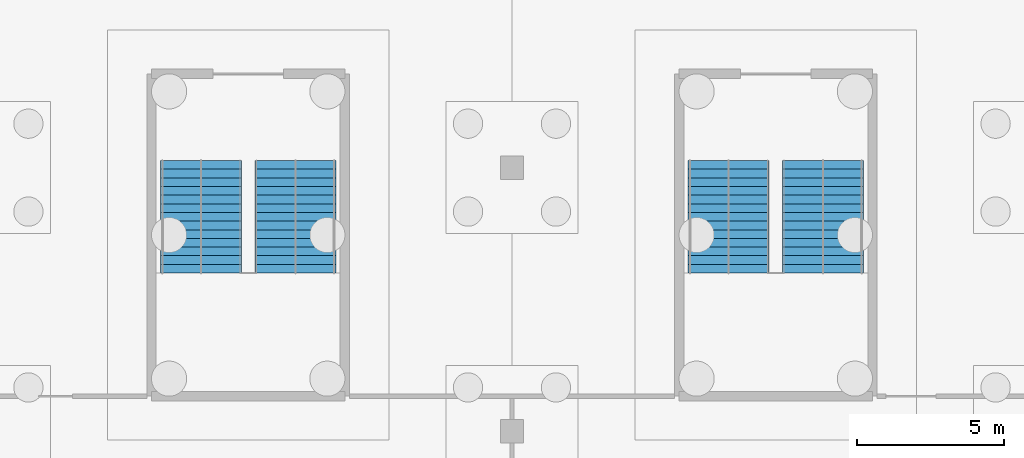
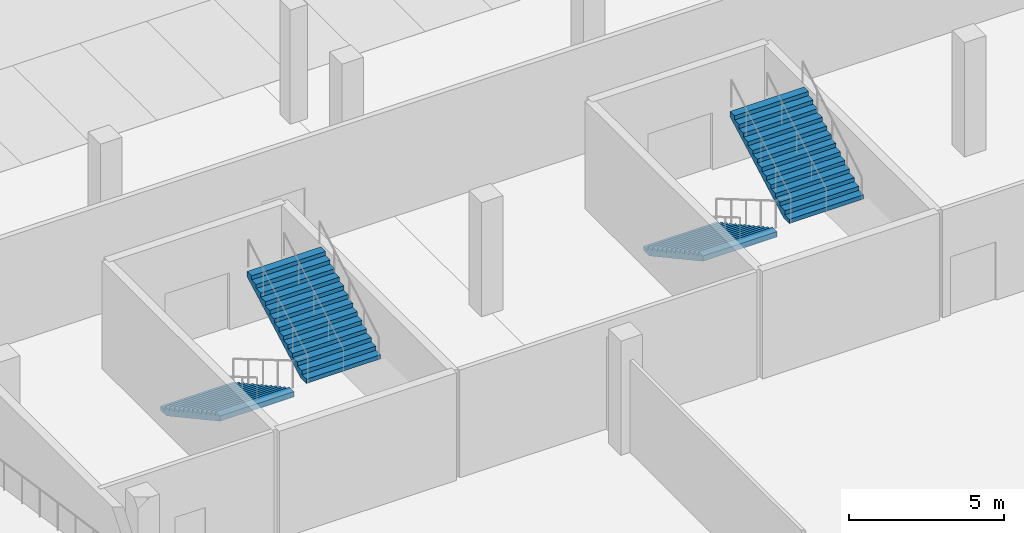
# One storey, part 30 of 46: 4 stair flights, 2 elements without a shape of their own.
"""IFC4 building model written with IfcOpenShell, lengths in metres."""

from ifc_helpers import new_model, si_unit, direction, frame, origin, place, context, subcontext, project, spatial, polygons, material, type_object, element, aggregate, save


model = new_model("IFC4")

# Units and contexts
model_context = context("Model", 3, precision=1e-05, world=origin(), true_north=direction((0.0, 1.0)))
body_context = subcontext(model_context, "Body", "Model", "MODEL_VIEW")
ifc_project = project(units=[si_unit("LENGTHUNIT", "METRE"), si_unit("AREAUNIT", "SQUARE_METRE"), si_unit("VOLUMEUNIT", "CUBIC_METRE"), si_unit("PLANEANGLEUNIT", "RADIAN"), si_unit("MASSUNIT", "GRAM", prefix="KILO")], contexts=[model_context])

# Site, building, storey
site_placement = place(None, origin())
site = spatial("IfcSite", under=ifc_project, at=site_placement, CompositionType="ELEMENT")
building_placement = place(site_placement, origin())
building = spatial("IfcBuilding", under=site, at=building_placement, Name="Kisiwana Market Hall", CompositionType="ELEMENT")
storey_placement = place(building_placement, frame((0.0, 0.0, -4.5)))
storey = spatial("IfcBuildingStorey", under=building, at=storey_placement, Name="B1", CompositionType="ELEMENT", Elevation=-4.5)

# Stair, stair flights
ifc_material_1 = material(Name="Concrete C32/40", Category="concrete")
stair_type = type_object("IfcStairType", Name="ST-ESC-4500", PredefinedType="TWO_STRAIGHT_RUN_STAIR", material=ifc_material_1)
stair_1_placement = place(storey_placement, origin())
stair_1 = element("IfcStair", 1, at=stair_1_placement, inside=storey, type_object=stair_type, Name="Escape stair ST-S4-B1", PredefinedType="TWO_STRAIGHT_RUN_STAIR")
ifc_material_2 = material(Name="Concrete C32/40", Category="concrete")
stair_flight_type = type_object("IfcStairFlightType", Name="SF-ESC-4500", PredefinedType="STRAIGHT", material=ifc_material_2)
stair_flight_1_placement = place(storey_placement, frame((88.389892578125, 27.239990234375, 0.0), z_axis=(0.0, 0.0, 1.0), x_axis=(0.0, -1.0, 0.0)))
stair_flight_1 = element("IfcStairFlight", 2, at=stair_flight_1_placement, type_object=stair_flight_type, Name="ST-S4-B1 flight 1", NumberOfRisers=14, NumberOfTreads=13, PredefinedType="STRAIGHT", RiserHeight=0.160714, TreadLength=0.295, context=body_context, shape_type="Tessellation", body=[
    polygons([(0.0, -1.380127, 0.0), (0.0, -0.690125, 0.0), (0.0, -0.000122, 0.0), (0.0, 0.68988, 0.0), (0.0, 1.379883, 0.0), (0.0, -1.380127, 0.160645), (0.0, -0.690125, 0.160645), (0.0, -0.000122, 0.160645), (0.0, 0.68988, 0.160645), (0.0, 1.379883, 0.160645), (0.294922, -1.380127, 0.160645), (0.294922, -0.690125, 0.160645), (0.294922, -0.000122, 0.160645), (0.294922, 0.68988, 0.160645), (0.294922, 1.379883, 0.160645), (0.294922, -1.380127, 0.321533), (0.294922, -0.690125, 0.321533), (0.294922, -0.000122, 0.321533), (0.294922, 0.68988, 0.321533), (0.294922, 1.379883, 0.321533), (0.590088, -1.380127, 0.321533), (0.590088, -0.690125, 0.321533), (0.590088, -0.000122, 0.321533), (0.590088, 0.68988, 0.321533), (0.590088, 1.379883, 0.321533), (0.590088, -1.380127, 0.482178), (0.590088, -0.690125, 0.482178), (0.590088, -0.000122, 0.482178), (0.590088, 0.68988, 0.482178), (0.590088, 1.379883, 0.482178), (0.88501, -1.380127, 0.482178), (0.88501, -0.690125, 0.482178), (0.88501, -0.000122, 0.482178), (0.88501, 0.68988, 0.482178), (0.88501, 1.379883, 0.482178), (0.88501, -1.380127, 0.642822), (0.88501, -0.690125, 0.642822), (0.88501, -0.000122, 0.642822), (0.88501, 0.68988, 0.642822), (0.88501, 1.379883, 0.642822), (1.179932, -1.380127, 0.642822), (1.179932, -0.690125, 0.642822), (1.179932, -0.000122, 0.642822), (1.179932, 0.68988, 0.642822), (1.179932, 1.379883, 0.642822), (1.179932, -1.380127, 0.803467), (1.179932, -0.690125, 0.803467), (1.179932, -0.000122, 0.803467), (1.179932, 0.68988, 0.803467), (1.179932, 1.379883, 0.803467), (1.475098, -1.380127, 0.803467), (1.475098, -0.690125, 0.803467), (1.475098, -0.000122, 0.803467), (1.475098, 0.68988, 0.803467), (1.475098, 1.379883, 0.803467), (1.475098, -1.380127, 0.964355), (1.475098, -0.690125, 0.964355), (1.475098, -0.000122, 0.964355), (1.475098, 0.68988, 0.964355), (1.475098, 1.379883, 0.964355), (1.77002, -1.380127, 0.964355), (1.77002, -0.690125, 0.964355), (1.77002, -0.000122, 0.964355), (1.77002, 0.68988, 0.964355), (1.77002, 1.379883, 0.964355), (1.77002, -1.380127, 1.125), (1.77002, -0.690125, 1.125), (1.77002, -0.000122, 1.125), (1.77002, 0.68988, 1.125), (1.77002, 1.379883, 1.125), (2.064941, -1.380127, 1.125), (2.064941, -0.690125, 1.125), (2.064941, -0.000122, 1.125), (2.064941, 0.68988, 1.125), (2.064941, 1.379883, 1.125), (2.064941, -1.380127, 1.285645), (2.064941, -0.690125, 1.285645), (2.064941, -0.000122, 1.285645), (2.064941, 0.68988, 1.285645), (2.064941, 1.379883, 1.285645), (2.360107, -1.380127, 1.285645), (2.360107, -0.690125, 1.285645), (2.360107, -0.000122, 1.285645), (2.360107, 0.68988, 1.285645), (2.360107, 1.379883, 1.285645), (2.360107, -1.380127, 1.446533), (2.360107, -0.690125, 1.446533), (2.360107, -0.000122, 1.446533), (2.360107, 0.68988, 1.446533), (2.360107, 1.379883, 1.446533), (2.655029, -1.380127, 1.446533), (2.655029, -0.690125, 1.446533), (2.655029, -0.000122, 1.446533), (2.655029, 0.68988, 1.446533), (2.655029, 1.379883, 1.446533), (2.655029, -1.380127, 1.607178), (2.655029, -0.690125, 1.607178), (2.655029, -0.000122, 1.607178), (2.655029, 0.68988, 1.607178), (2.655029, 1.379883, 1.607178), (2.949951, -1.380127, 1.607178), (2.949951, -0.690125, 1.607178), (2.949951, -0.000122, 1.607178), (2.949951, 0.68988, 1.607178), (2.949951, 1.379883, 1.607178), (2.949951, -1.380127, 1.767822), (2.949951, -0.690125, 1.767822), (2.949951, -0.000122, 1.767822), (2.949951, 0.68988, 1.767822), (2.949951, 1.379883, 1.767822), (3.245117, -1.380127, 1.767822), (3.245117, -0.690125, 1.767822), (3.245117, -0.000122, 1.767822), (3.245117, 0.68988, 1.767822), (3.245117, 1.379883, 1.767822), (3.245117, -1.380127, 1.928467), (3.245117, -0.690125, 1.928467), (3.245117, -0.000122, 1.928467), (3.245117, 0.68988, 1.928467), (3.245117, 1.379883, 1.928467), (3.540039, -1.380127, 1.928467), (3.540039, -0.690125, 1.928467), (3.540039, -0.000122, 1.928467), (3.540039, 0.68988, 1.928467), (3.540039, 1.379883, 1.928467), (3.540039, -1.380127, 2.089355), (3.540039, -0.690125, 2.089355), (3.540039, -0.000122, 2.089355), (3.540039, 0.68988, 2.089355), (3.540039, 1.379883, 2.089355), (3.834961, -1.380127, 2.089355), (3.834961, -0.690125, 2.089355), (3.834961, -0.000122, 2.089355), (3.834961, 0.68988, 2.089355), (3.834961, 1.379883, 2.089355), (3.834961, -1.380127, 1.884277), (3.834961, -0.690125, 1.884277), (3.834961, -0.000122, 1.884277), (3.834961, 0.68988, 1.884277), (3.834961, 1.379883, 1.884277), (0.376221, -1.380127, 0.0), (0.376221, -0.690125, 0.0), (0.376221, -0.000122, 0.0), (0.376221, 0.68988, 0.0), (0.376221, 1.379883, 0.0)], [[[1, 6, 7, 2]], [[2, 7, 8, 3]], [[3, 8, 9, 4]], [[4, 9, 10, 5]], [[6, 11, 12, 7]], [[7, 12, 13, 8]], [[8, 13, 14, 9]], [[9, 14, 15, 10]], [[11, 16, 17, 12]], [[12, 17, 18, 13]], [[13, 18, 19, 14]], [[14, 19, 20, 15]], [[16, 21, 22, 17]], [[17, 22, 23, 18]], [[18, 23, 24, 19]], [[19, 24, 25, 20]], [[21, 26, 27, 22]], [[22, 27, 28, 23]], [[23, 28, 29, 24]], [[24, 29, 30, 25]], [[26, 31, 32, 27]], [[27, 32, 33, 28]], [[28, 33, 34, 29]], [[29, 34, 35, 30]], [[31, 36, 37, 32]], [[32, 37, 38, 33]], [[33, 38, 39, 34]], [[34, 39, 40, 35]], [[36, 41, 42, 37]], [[37, 42, 43, 38]], [[38, 43, 44, 39]], [[39, 44, 45, 40]], [[41, 46, 47, 42]], [[42, 47, 48, 43]], [[43, 48, 49, 44]], [[44, 49, 50, 45]], [[46, 51, 52, 47]], [[47, 52, 53, 48]], [[48, 53, 54, 49]], [[49, 54, 55, 50]], [[51, 56, 57, 52]], [[52, 57, 58, 53]], [[53, 58, 59, 54]], [[54, 59, 60, 55]], [[56, 61, 62, 57]], [[57, 62, 63, 58]], [[58, 63, 64, 59]], [[59, 64, 65, 60]], [[61, 66, 67, 62]], [[62, 67, 68, 63]], [[63, 68, 69, 64]], [[64, 69, 70, 65]], [[66, 71, 72, 67]], [[67, 72, 73, 68]], [[68, 73, 74, 69]], [[69, 74, 75, 70]], [[71, 76, 77, 72]], [[72, 77, 78, 73]], [[73, 78, 79, 74]], [[74, 79, 80, 75]], [[76, 81, 82, 77]], [[77, 82, 83, 78]], [[78, 83, 84, 79]], [[79, 84, 85, 80]], [[81, 86, 87, 82]], [[82, 87, 88, 83]], [[83, 88, 89, 84]], [[84, 89, 90, 85]], [[86, 91, 92, 87]], [[87, 92, 93, 88]], [[88, 93, 94, 89]], [[89, 94, 95, 90]], [[91, 96, 97, 92]], [[92, 97, 98, 93]], [[93, 98, 99, 94]], [[94, 99, 100, 95]], [[96, 101, 102, 97]], [[97, 102, 103, 98]], [[98, 103, 104, 99]], [[99, 104, 105, 100]], [[101, 106, 107, 102]], [[102, 107, 108, 103]], [[103, 108, 109, 104]], [[104, 109, 110, 105]], [[106, 111, 112, 107]], [[107, 112, 113, 108]], [[108, 113, 114, 109]], [[109, 114, 115, 110]], [[111, 116, 117, 112]], [[112, 117, 118, 113]], [[113, 118, 119, 114]], [[114, 119, 120, 115]], [[116, 121, 122, 117]], [[117, 122, 123, 118]], [[118, 123, 124, 119]], [[119, 124, 125, 120]], [[121, 126, 127, 122]], [[122, 127, 128, 123]], [[123, 128, 129, 124]], [[124, 129, 130, 125]], [[126, 131, 132, 127]], [[127, 132, 133, 128]], [[128, 133, 134, 129]], [[129, 134, 135, 130]], [[131, 136, 137, 132]], [[132, 137, 138, 133]], [[133, 138, 139, 134]], [[134, 139, 140, 135]], [[136, 141, 142, 137]], [[137, 142, 143, 138]], [[138, 143, 144, 139]], [[139, 144, 145, 140]], [[141, 1, 2, 142]], [[142, 2, 3, 143]], [[143, 3, 4, 144]], [[144, 4, 5, 145]], [[141, 136, 131, 126, 121, 116, 111, 106, 101, 96, 91, 86, 81, 76, 71, 66, 61, 56, 51, 46, 41, 36, 31, 26, 21, 16, 11, 6, 1]], [[5, 10, 15, 20, 25, 30, 35, 40, 45, 50, 55, 60, 65, 70, 75, 80, 85, 90, 95, 100, 105, 110, 115, 120, 125, 130, 135, 140, 145]]], closed=True),
])
stair_flight_2_placement = place(storey_placement, frame((91.610107421875, 23.405029296875, 2.25), z_axis=(0.0, 0.0, 1.0), x_axis=(0.0, 1.0, 0.0)))
stair_flight_2 = element("IfcStairFlight", 3, at=stair_flight_2_placement, type_object=stair_flight_type, Name="ST-S4-B1 flight 2", NumberOfRisers=14, NumberOfTreads=13, PredefinedType="STRAIGHT", RiserHeight=0.160714, TreadLength=0.295, context=body_context, shape_type="Tessellation", body=[
    polygons([(0.0, -1.380127, 0.0), (0.0, -0.690125, 0.0), (0.0, -0.000122, 0.0), (0.0, 0.68988, 0.0), (0.0, 1.379883, 0.0), (0.0, -1.380127, 0.160645), (0.0, -0.690125, 0.160645), (0.0, -0.000122, 0.160645), (0.0, 0.68988, 0.160645), (0.0, 1.379883, 0.160645), (0.294922, -1.380127, 0.160645), (0.294922, -0.690125, 0.160645), (0.294922, -0.000122, 0.160645), (0.294922, 0.68988, 0.160645), (0.294922, 1.379883, 0.160645), (0.294922, -1.380127, 0.321533), (0.294922, -0.690125, 0.321533), (0.294922, -0.000122, 0.321533), (0.294922, 0.68988, 0.321533), (0.294922, 1.379883, 0.321533), (0.590088, -1.380127, 0.321533), (0.590088, -0.690125, 0.321533), (0.590088, -0.000122, 0.321533), (0.590088, 0.68988, 0.321533), (0.590088, 1.379883, 0.321533), (0.590088, -1.380127, 0.482178), (0.590088, -0.690125, 0.482178), (0.590088, -0.000122, 0.482178), (0.590088, 0.68988, 0.482178), (0.590088, 1.379883, 0.482178), (0.88501, -1.380127, 0.482178), (0.88501, -0.690125, 0.482178), (0.88501, -0.000122, 0.482178), (0.88501, 0.68988, 0.482178), (0.88501, 1.379883, 0.482178), (0.88501, -1.380127, 0.642822), (0.88501, -0.690125, 0.642822), (0.88501, -0.000122, 0.642822), (0.88501, 0.68988, 0.642822), (0.88501, 1.379883, 0.642822), (1.179932, -1.380127, 0.642822), (1.179932, -0.690125, 0.642822), (1.179932, -0.000122, 0.642822), (1.179932, 0.68988, 0.642822), (1.179932, 1.379883, 0.642822), (1.179932, -1.380127, 0.803467), (1.179932, -0.690125, 0.803467), (1.179932, -0.000122, 0.803467), (1.179932, 0.68988, 0.803467), (1.179932, 1.379883, 0.803467), (1.475098, -1.380127, 0.803467), (1.475098, -0.690125, 0.803467), (1.475098, -0.000122, 0.803467), (1.475098, 0.68988, 0.803467), (1.475098, 1.379883, 0.803467), (1.475098, -1.380127, 0.964355), (1.475098, -0.690125, 0.964355), (1.475098, -0.000122, 0.964355), (1.475098, 0.68988, 0.964355), (1.475098, 1.379883, 0.964355), (1.77002, -1.380127, 0.964355), (1.77002, -0.690125, 0.964355), (1.77002, -0.000122, 0.964355), (1.77002, 0.68988, 0.964355), (1.77002, 1.379883, 0.964355), (1.77002, -1.380127, 1.125), (1.77002, -0.690125, 1.125), (1.77002, -0.000122, 1.125), (1.77002, 0.68988, 1.125), (1.77002, 1.379883, 1.125), (2.064941, -1.380127, 1.125), (2.064941, -0.690125, 1.125), (2.064941, -0.000122, 1.125), (2.064941, 0.68988, 1.125), (2.064941, 1.379883, 1.125), (2.064941, -1.380127, 1.285645), (2.064941, -0.690125, 1.285645), (2.064941, -0.000122, 1.285645), (2.064941, 0.68988, 1.285645), (2.064941, 1.379883, 1.285645), (2.360107, -1.380127, 1.285645), (2.360107, -0.690125, 1.285645), (2.360107, -0.000122, 1.285645), (2.360107, 0.68988, 1.285645), (2.360107, 1.379883, 1.285645), (2.360107, -1.380127, 1.446533), (2.360107, -0.690125, 1.446533), (2.360107, -0.000122, 1.446533), (2.360107, 0.68988, 1.446533), (2.360107, 1.379883, 1.446533), (2.655029, -1.380127, 1.446533), (2.655029, -0.690125, 1.446533), (2.655029, -0.000122, 1.446533), (2.655029, 0.68988, 1.446533), (2.655029, 1.379883, 1.446533), (2.655029, -1.380127, 1.607178), (2.655029, -0.690125, 1.607178), (2.655029, -0.000122, 1.607178), (2.655029, 0.68988, 1.607178), (2.655029, 1.379883, 1.607178), (2.949951, -1.380127, 1.607178), (2.949951, -0.690125, 1.607178), (2.949951, -0.000122, 1.607178), (2.949951, 0.68988, 1.607178), (2.949951, 1.379883, 1.607178), (2.949951, -1.380127, 1.767822), (2.949951, -0.690125, 1.767822), (2.949951, -0.000122, 1.767822), (2.949951, 0.68988, 1.767822), (2.949951, 1.379883, 1.767822), (3.245117, -1.380127, 1.767822), (3.245117, -0.690125, 1.767822), (3.245117, -0.000122, 1.767822), (3.245117, 0.68988, 1.767822), (3.245117, 1.379883, 1.767822), (3.245117, -1.380127, 1.928467), (3.245117, -0.690125, 1.928467), (3.245117, -0.000122, 1.928467), (3.245117, 0.68988, 1.928467), (3.245117, 1.379883, 1.928467), (3.540039, -1.380127, 1.928467), (3.540039, -0.690125, 1.928467), (3.540039, -0.000122, 1.928467), (3.540039, 0.68988, 1.928467), (3.540039, 1.379883, 1.928467), (3.540039, -1.380127, 2.089355), (3.540039, -0.690125, 2.089355), (3.540039, -0.000122, 2.089355), (3.540039, 0.68988, 2.089355), (3.540039, 1.379883, 2.089355), (3.834961, -1.380127, 2.089355), (3.834961, -0.690125, 2.089355), (3.834961, -0.000122, 2.089355), (3.834961, 0.68988, 2.089355), (3.834961, 1.379883, 2.089355), (3.834961, -1.380127, 1.884277), (3.834961, -0.690125, 1.884277), (3.834961, -0.000122, 1.884277), (3.834961, 0.68988, 1.884277), (3.834961, 1.379883, 1.884277), (0.376221, -1.380127, 0.0), (0.376221, -0.690125, 0.0), (0.376221, -0.000122, 0.0), (0.376221, 0.68988, 0.0), (0.376221, 1.379883, 0.0)], [[[1, 6, 7, 2]], [[2, 7, 8, 3]], [[3, 8, 9, 4]], [[4, 9, 10, 5]], [[6, 11, 12, 7]], [[7, 12, 13, 8]], [[8, 13, 14, 9]], [[9, 14, 15, 10]], [[11, 16, 17, 12]], [[12, 17, 18, 13]], [[13, 18, 19, 14]], [[14, 19, 20, 15]], [[16, 21, 22, 17]], [[17, 22, 23, 18]], [[18, 23, 24, 19]], [[19, 24, 25, 20]], [[21, 26, 27, 22]], [[22, 27, 28, 23]], [[23, 28, 29, 24]], [[24, 29, 30, 25]], [[26, 31, 32, 27]], [[27, 32, 33, 28]], [[28, 33, 34, 29]], [[29, 34, 35, 30]], [[31, 36, 37, 32]], [[32, 37, 38, 33]], [[33, 38, 39, 34]], [[34, 39, 40, 35]], [[36, 41, 42, 37]], [[37, 42, 43, 38]], [[38, 43, 44, 39]], [[39, 44, 45, 40]], [[41, 46, 47, 42]], [[42, 47, 48, 43]], [[43, 48, 49, 44]], [[44, 49, 50, 45]], [[46, 51, 52, 47]], [[47, 52, 53, 48]], [[48, 53, 54, 49]], [[49, 54, 55, 50]], [[51, 56, 57, 52]], [[52, 57, 58, 53]], [[53, 58, 59, 54]], [[54, 59, 60, 55]], [[56, 61, 62, 57]], [[57, 62, 63, 58]], [[58, 63, 64, 59]], [[59, 64, 65, 60]], [[61, 66, 67, 62]], [[62, 67, 68, 63]], [[63, 68, 69, 64]], [[64, 69, 70, 65]], [[66, 71, 72, 67]], [[67, 72, 73, 68]], [[68, 73, 74, 69]], [[69, 74, 75, 70]], [[71, 76, 77, 72]], [[72, 77, 78, 73]], [[73, 78, 79, 74]], [[74, 79, 80, 75]], [[76, 81, 82, 77]], [[77, 82, 83, 78]], [[78, 83, 84, 79]], [[79, 84, 85, 80]], [[81, 86, 87, 82]], [[82, 87, 88, 83]], [[83, 88, 89, 84]], [[84, 89, 90, 85]], [[86, 91, 92, 87]], [[87, 92, 93, 88]], [[88, 93, 94, 89]], [[89, 94, 95, 90]], [[91, 96, 97, 92]], [[92, 97, 98, 93]], [[93, 98, 99, 94]], [[94, 99, 100, 95]], [[96, 101, 102, 97]], [[97, 102, 103, 98]], [[98, 103, 104, 99]], [[99, 104, 105, 100]], [[101, 106, 107, 102]], [[102, 107, 108, 103]], [[103, 108, 109, 104]], [[104, 109, 110, 105]], [[106, 111, 112, 107]], [[107, 112, 113, 108]], [[108, 113, 114, 109]], [[109, 114, 115, 110]], [[111, 116, 117, 112]], [[112, 117, 118, 113]], [[113, 118, 119, 114]], [[114, 119, 120, 115]], [[116, 121, 122, 117]], [[117, 122, 123, 118]], [[118, 123, 124, 119]], [[119, 124, 125, 120]], [[121, 126, 127, 122]], [[122, 127, 128, 123]], [[123, 128, 129, 124]], [[124, 129, 130, 125]], [[126, 131, 132, 127]], [[127, 132, 133, 128]], [[128, 133, 134, 129]], [[129, 134, 135, 130]], [[131, 136, 137, 132]], [[132, 137, 138, 133]], [[133, 138, 139, 134]], [[134, 139, 140, 135]], [[136, 141, 142, 137]], [[137, 142, 143, 138]], [[138, 143, 144, 139]], [[139, 144, 145, 140]], [[141, 1, 2, 142]], [[142, 2, 3, 143]], [[143, 3, 4, 144]], [[144, 4, 5, 145]], [[141, 136, 131, 126, 121, 116, 111, 106, 101, 96, 91, 86, 81, 76, 71, 66, 61, 56, 51, 46, 41, 36, 31, 26, 21, 16, 11, 6, 1]], [[5, 10, 15, 20, 25, 30, 35, 40, 45, 50, 55, 60, 65, 70, 75, 80, 85, 90, 95, 100, 105, 110, 115, 120, 125, 130, 135, 140, 145]]], closed=True),
])
aggregate(stair_1, [stair_flight_1, stair_flight_2])

stair_2_placement = place(storey_placement, origin())
stair_2 = element("IfcStair", 4, at=stair_2_placement, inside=storey, type_object=stair_type, Name="Escape stair ST-S5-B1", PredefinedType="TWO_STRAIGHT_RUN_STAIR")
stair_flight_3_placement = place(storey_placement, frame((106.389892578125, 27.239990234375, 0.0), z_axis=(0.0, 0.0, 1.0), x_axis=(0.0, -1.0, 0.0)))
stair_flight_3 = element("IfcStairFlight", 5, at=stair_flight_3_placement, type_object=stair_flight_type, Name="ST-S5-B1 flight 1", NumberOfRisers=14, NumberOfTreads=13, PredefinedType="STRAIGHT", RiserHeight=0.160714, TreadLength=0.295, context=body_context, shape_type="Tessellation", body=[
    polygons([(0.0, -1.380127, 0.0), (0.0, -0.690125, 0.0), (0.0, -0.000122, 0.0), (0.0, 0.68988, 0.0), (0.0, 1.379883, 0.0), (0.0, -1.380127, 0.160645), (0.0, -0.690125, 0.160645), (0.0, -0.000122, 0.160645), (0.0, 0.68988, 0.160645), (0.0, 1.379883, 0.160645), (0.294922, -1.380127, 0.160645), (0.294922, -0.690125, 0.160645), (0.294922, -0.000122, 0.160645), (0.294922, 0.68988, 0.160645), (0.294922, 1.379883, 0.160645), (0.294922, -1.380127, 0.321533), (0.294922, -0.690125, 0.321533), (0.294922, -0.000122, 0.321533), (0.294922, 0.68988, 0.321533), (0.294922, 1.379883, 0.321533), (0.590088, -1.380127, 0.321533), (0.590088, -0.690125, 0.321533), (0.590088, -0.000122, 0.321533), (0.590088, 0.68988, 0.321533), (0.590088, 1.379883, 0.321533), (0.590088, -1.380127, 0.482178), (0.590088, -0.690125, 0.482178), (0.590088, -0.000122, 0.482178), (0.590088, 0.68988, 0.482178), (0.590088, 1.379883, 0.482178), (0.88501, -1.380127, 0.482178), (0.88501, -0.690125, 0.482178), (0.88501, -0.000122, 0.482178), (0.88501, 0.68988, 0.482178), (0.88501, 1.379883, 0.482178), (0.88501, -1.380127, 0.642822), (0.88501, -0.690125, 0.642822), (0.88501, -0.000122, 0.642822), (0.88501, 0.68988, 0.642822), (0.88501, 1.379883, 0.642822), (1.179932, -1.380127, 0.642822), (1.179932, -0.690125, 0.642822), (1.179932, -0.000122, 0.642822), (1.179932, 0.68988, 0.642822), (1.179932, 1.379883, 0.642822), (1.179932, -1.380127, 0.803467), (1.179932, -0.690125, 0.803467), (1.179932, -0.000122, 0.803467), (1.179932, 0.68988, 0.803467), (1.179932, 1.379883, 0.803467), (1.475098, -1.380127, 0.803467), (1.475098, -0.690125, 0.803467), (1.475098, -0.000122, 0.803467), (1.475098, 0.68988, 0.803467), (1.475098, 1.379883, 0.803467), (1.475098, -1.380127, 0.964355), (1.475098, -0.690125, 0.964355), (1.475098, -0.000122, 0.964355), (1.475098, 0.68988, 0.964355), (1.475098, 1.379883, 0.964355), (1.77002, -1.380127, 0.964355), (1.77002, -0.690125, 0.964355), (1.77002, -0.000122, 0.964355), (1.77002, 0.68988, 0.964355), (1.77002, 1.379883, 0.964355), (1.77002, -1.380127, 1.125), (1.77002, -0.690125, 1.125), (1.77002, -0.000122, 1.125), (1.77002, 0.68988, 1.125), (1.77002, 1.379883, 1.125), (2.064941, -1.380127, 1.125), (2.064941, -0.690125, 1.125), (2.064941, -0.000122, 1.125), (2.064941, 0.68988, 1.125), (2.064941, 1.379883, 1.125), (2.064941, -1.380127, 1.285645), (2.064941, -0.690125, 1.285645), (2.064941, -0.000122, 1.285645), (2.064941, 0.68988, 1.285645), (2.064941, 1.379883, 1.285645), (2.360107, -1.380127, 1.285645), (2.360107, -0.690125, 1.285645), (2.360107, -0.000122, 1.285645), (2.360107, 0.68988, 1.285645), (2.360107, 1.379883, 1.285645), (2.360107, -1.380127, 1.446533), (2.360107, -0.690125, 1.446533), (2.360107, -0.000122, 1.446533), (2.360107, 0.68988, 1.446533), (2.360107, 1.379883, 1.446533), (2.655029, -1.380127, 1.446533), (2.655029, -0.690125, 1.446533), (2.655029, -0.000122, 1.446533), (2.655029, 0.68988, 1.446533), (2.655029, 1.379883, 1.446533), (2.655029, -1.380127, 1.607178), (2.655029, -0.690125, 1.607178), (2.655029, -0.000122, 1.607178), (2.655029, 0.68988, 1.607178), (2.655029, 1.379883, 1.607178), (2.949951, -1.380127, 1.607178), (2.949951, -0.690125, 1.607178), (2.949951, -0.000122, 1.607178), (2.949951, 0.68988, 1.607178), (2.949951, 1.379883, 1.607178), (2.949951, -1.380127, 1.767822), (2.949951, -0.690125, 1.767822), (2.949951, -0.000122, 1.767822), (2.949951, 0.68988, 1.767822), (2.949951, 1.379883, 1.767822), (3.245117, -1.380127, 1.767822), (3.245117, -0.690125, 1.767822), (3.245117, -0.000122, 1.767822), (3.245117, 0.68988, 1.767822), (3.245117, 1.379883, 1.767822), (3.245117, -1.380127, 1.928467), (3.245117, -0.690125, 1.928467), (3.245117, -0.000122, 1.928467), (3.245117, 0.68988, 1.928467), (3.245117, 1.379883, 1.928467), (3.540039, -1.380127, 1.928467), (3.540039, -0.690125, 1.928467), (3.540039, -0.000122, 1.928467), (3.540039, 0.68988, 1.928467), (3.540039, 1.379883, 1.928467), (3.540039, -1.380127, 2.089355), (3.540039, -0.690125, 2.089355), (3.540039, -0.000122, 2.089355), (3.540039, 0.68988, 2.089355), (3.540039, 1.379883, 2.089355), (3.834961, -1.380127, 2.089355), (3.834961, -0.690125, 2.089355), (3.834961, -0.000122, 2.089355), (3.834961, 0.68988, 2.089355), (3.834961, 1.379883, 2.089355), (3.834961, -1.380127, 1.884277), (3.834961, -0.690125, 1.884277), (3.834961, -0.000122, 1.884277), (3.834961, 0.68988, 1.884277), (3.834961, 1.379883, 1.884277), (0.376221, -1.380127, 0.0), (0.376221, -0.690125, 0.0), (0.376221, -0.000122, 0.0), (0.376221, 0.68988, 0.0), (0.376221, 1.379883, 0.0)], [[[1, 6, 7, 2]], [[2, 7, 8, 3]], [[3, 8, 9, 4]], [[4, 9, 10, 5]], [[6, 11, 12, 7]], [[7, 12, 13, 8]], [[8, 13, 14, 9]], [[9, 14, 15, 10]], [[11, 16, 17, 12]], [[12, 17, 18, 13]], [[13, 18, 19, 14]], [[14, 19, 20, 15]], [[16, 21, 22, 17]], [[17, 22, 23, 18]], [[18, 23, 24, 19]], [[19, 24, 25, 20]], [[21, 26, 27, 22]], [[22, 27, 28, 23]], [[23, 28, 29, 24]], [[24, 29, 30, 25]], [[26, 31, 32, 27]], [[27, 32, 33, 28]], [[28, 33, 34, 29]], [[29, 34, 35, 30]], [[31, 36, 37, 32]], [[32, 37, 38, 33]], [[33, 38, 39, 34]], [[34, 39, 40, 35]], [[36, 41, 42, 37]], [[37, 42, 43, 38]], [[38, 43, 44, 39]], [[39, 44, 45, 40]], [[41, 46, 47, 42]], [[42, 47, 48, 43]], [[43, 48, 49, 44]], [[44, 49, 50, 45]], [[46, 51, 52, 47]], [[47, 52, 53, 48]], [[48, 53, 54, 49]], [[49, 54, 55, 50]], [[51, 56, 57, 52]], [[52, 57, 58, 53]], [[53, 58, 59, 54]], [[54, 59, 60, 55]], [[56, 61, 62, 57]], [[57, 62, 63, 58]], [[58, 63, 64, 59]], [[59, 64, 65, 60]], [[61, 66, 67, 62]], [[62, 67, 68, 63]], [[63, 68, 69, 64]], [[64, 69, 70, 65]], [[66, 71, 72, 67]], [[67, 72, 73, 68]], [[68, 73, 74, 69]], [[69, 74, 75, 70]], [[71, 76, 77, 72]], [[72, 77, 78, 73]], [[73, 78, 79, 74]], [[74, 79, 80, 75]], [[76, 81, 82, 77]], [[77, 82, 83, 78]], [[78, 83, 84, 79]], [[79, 84, 85, 80]], [[81, 86, 87, 82]], [[82, 87, 88, 83]], [[83, 88, 89, 84]], [[84, 89, 90, 85]], [[86, 91, 92, 87]], [[87, 92, 93, 88]], [[88, 93, 94, 89]], [[89, 94, 95, 90]], [[91, 96, 97, 92]], [[92, 97, 98, 93]], [[93, 98, 99, 94]], [[94, 99, 100, 95]], [[96, 101, 102, 97]], [[97, 102, 103, 98]], [[98, 103, 104, 99]], [[99, 104, 105, 100]], [[101, 106, 107, 102]], [[102, 107, 108, 103]], [[103, 108, 109, 104]], [[104, 109, 110, 105]], [[106, 111, 112, 107]], [[107, 112, 113, 108]], [[108, 113, 114, 109]], [[109, 114, 115, 110]], [[111, 116, 117, 112]], [[112, 117, 118, 113]], [[113, 118, 119, 114]], [[114, 119, 120, 115]], [[116, 121, 122, 117]], [[117, 122, 123, 118]], [[118, 123, 124, 119]], [[119, 124, 125, 120]], [[121, 126, 127, 122]], [[122, 127, 128, 123]], [[123, 128, 129, 124]], [[124, 129, 130, 125]], [[126, 131, 132, 127]], [[127, 132, 133, 128]], [[128, 133, 134, 129]], [[129, 134, 135, 130]], [[131, 136, 137, 132]], [[132, 137, 138, 133]], [[133, 138, 139, 134]], [[134, 139, 140, 135]], [[136, 141, 142, 137]], [[137, 142, 143, 138]], [[138, 143, 144, 139]], [[139, 144, 145, 140]], [[141, 1, 2, 142]], [[142, 2, 3, 143]], [[143, 3, 4, 144]], [[144, 4, 5, 145]], [[141, 136, 131, 126, 121, 116, 111, 106, 101, 96, 91, 86, 81, 76, 71, 66, 61, 56, 51, 46, 41, 36, 31, 26, 21, 16, 11, 6, 1]], [[5, 10, 15, 20, 25, 30, 35, 40, 45, 50, 55, 60, 65, 70, 75, 80, 85, 90, 95, 100, 105, 110, 115, 120, 125, 130, 135, 140, 145]]], closed=True),
])
stair_flight_4_placement = place(storey_placement, frame((109.610107421875, 23.405029296875, 2.25), z_axis=(0.0, 0.0, 1.0), x_axis=(0.0, 1.0, 0.0)))
stair_flight_4 = element("IfcStairFlight", 6, at=stair_flight_4_placement, type_object=stair_flight_type, Name="ST-S5-B1 flight 2", NumberOfRisers=14, NumberOfTreads=13, PredefinedType="STRAIGHT", RiserHeight=0.160714, TreadLength=0.295, context=body_context, shape_type="Tessellation", body=[
    polygons([(0.0, -1.380127, 0.0), (0.0, -0.690125, 0.0), (0.0, -0.000122, 0.0), (0.0, 0.68988, 0.0), (0.0, 1.379883, 0.0), (0.0, -1.380127, 0.160645), (0.0, -0.690125, 0.160645), (0.0, -0.000122, 0.160645), (0.0, 0.68988, 0.160645), (0.0, 1.379883, 0.160645), (0.294922, -1.380127, 0.160645), (0.294922, -0.690125, 0.160645), (0.294922, -0.000122, 0.160645), (0.294922, 0.68988, 0.160645), (0.294922, 1.379883, 0.160645), (0.294922, -1.380127, 0.321533), (0.294922, -0.690125, 0.321533), (0.294922, -0.000122, 0.321533), (0.294922, 0.68988, 0.321533), (0.294922, 1.379883, 0.321533), (0.590088, -1.380127, 0.321533), (0.590088, -0.690125, 0.321533), (0.590088, -0.000122, 0.321533), (0.590088, 0.68988, 0.321533), (0.590088, 1.379883, 0.321533), (0.590088, -1.380127, 0.482178), (0.590088, -0.690125, 0.482178), (0.590088, -0.000122, 0.482178), (0.590088, 0.68988, 0.482178), (0.590088, 1.379883, 0.482178), (0.88501, -1.380127, 0.482178), (0.88501, -0.690125, 0.482178), (0.88501, -0.000122, 0.482178), (0.88501, 0.68988, 0.482178), (0.88501, 1.379883, 0.482178), (0.88501, -1.380127, 0.642822), (0.88501, -0.690125, 0.642822), (0.88501, -0.000122, 0.642822), (0.88501, 0.68988, 0.642822), (0.88501, 1.379883, 0.642822), (1.179932, -1.380127, 0.642822), (1.179932, -0.690125, 0.642822), (1.179932, -0.000122, 0.642822), (1.179932, 0.68988, 0.642822), (1.179932, 1.379883, 0.642822), (1.179932, -1.380127, 0.803467), (1.179932, -0.690125, 0.803467), (1.179932, -0.000122, 0.803467), (1.179932, 0.68988, 0.803467), (1.179932, 1.379883, 0.803467), (1.475098, -1.380127, 0.803467), (1.475098, -0.690125, 0.803467), (1.475098, -0.000122, 0.803467), (1.475098, 0.68988, 0.803467), (1.475098, 1.379883, 0.803467), (1.475098, -1.380127, 0.964355), (1.475098, -0.690125, 0.964355), (1.475098, -0.000122, 0.964355), (1.475098, 0.68988, 0.964355), (1.475098, 1.379883, 0.964355), (1.77002, -1.380127, 0.964355), (1.77002, -0.690125, 0.964355), (1.77002, -0.000122, 0.964355), (1.77002, 0.68988, 0.964355), (1.77002, 1.379883, 0.964355), (1.77002, -1.380127, 1.125), (1.77002, -0.690125, 1.125), (1.77002, -0.000122, 1.125), (1.77002, 0.68988, 1.125), (1.77002, 1.379883, 1.125), (2.064941, -1.380127, 1.125), (2.064941, -0.690125, 1.125), (2.064941, -0.000122, 1.125), (2.064941, 0.68988, 1.125), (2.064941, 1.379883, 1.125), (2.064941, -1.380127, 1.285645), (2.064941, -0.690125, 1.285645), (2.064941, -0.000122, 1.285645), (2.064941, 0.68988, 1.285645), (2.064941, 1.379883, 1.285645), (2.360107, -1.380127, 1.285645), (2.360107, -0.690125, 1.285645), (2.360107, -0.000122, 1.285645), (2.360107, 0.68988, 1.285645), (2.360107, 1.379883, 1.285645), (2.360107, -1.380127, 1.446533), (2.360107, -0.690125, 1.446533), (2.360107, -0.000122, 1.446533), (2.360107, 0.68988, 1.446533), (2.360107, 1.379883, 1.446533), (2.655029, -1.380127, 1.446533), (2.655029, -0.690125, 1.446533), (2.655029, -0.000122, 1.446533), (2.655029, 0.68988, 1.446533), (2.655029, 1.379883, 1.446533), (2.655029, -1.380127, 1.607178), (2.655029, -0.690125, 1.607178), (2.655029, -0.000122, 1.607178), (2.655029, 0.68988, 1.607178), (2.655029, 1.379883, 1.607178), (2.949951, -1.380127, 1.607178), (2.949951, -0.690125, 1.607178), (2.949951, -0.000122, 1.607178), (2.949951, 0.68988, 1.607178), (2.949951, 1.379883, 1.607178), (2.949951, -1.380127, 1.767822), (2.949951, -0.690125, 1.767822), (2.949951, -0.000122, 1.767822), (2.949951, 0.68988, 1.767822), (2.949951, 1.379883, 1.767822), (3.245117, -1.380127, 1.767822), (3.245117, -0.690125, 1.767822), (3.245117, -0.000122, 1.767822), (3.245117, 0.68988, 1.767822), (3.245117, 1.379883, 1.767822), (3.245117, -1.380127, 1.928467), (3.245117, -0.690125, 1.928467), (3.245117, -0.000122, 1.928467), (3.245117, 0.68988, 1.928467), (3.245117, 1.379883, 1.928467), (3.540039, -1.380127, 1.928467), (3.540039, -0.690125, 1.928467), (3.540039, -0.000122, 1.928467), (3.540039, 0.68988, 1.928467), (3.540039, 1.379883, 1.928467), (3.540039, -1.380127, 2.089355), (3.540039, -0.690125, 2.089355), (3.540039, -0.000122, 2.089355), (3.540039, 0.68988, 2.089355), (3.540039, 1.379883, 2.089355), (3.834961, -1.380127, 2.089355), (3.834961, -0.690125, 2.089355), (3.834961, -0.000122, 2.089355), (3.834961, 0.68988, 2.089355), (3.834961, 1.379883, 2.089355), (3.834961, -1.380127, 1.884277), (3.834961, -0.690125, 1.884277), (3.834961, -0.000122, 1.884277), (3.834961, 0.68988, 1.884277), (3.834961, 1.379883, 1.884277), (0.376221, -1.380127, 0.0), (0.376221, -0.690125, 0.0), (0.376221, -0.000122, 0.0), (0.376221, 0.68988, 0.0), (0.376221, 1.379883, 0.0)], [[[1, 6, 7, 2]], [[2, 7, 8, 3]], [[3, 8, 9, 4]], [[4, 9, 10, 5]], [[6, 11, 12, 7]], [[7, 12, 13, 8]], [[8, 13, 14, 9]], [[9, 14, 15, 10]], [[11, 16, 17, 12]], [[12, 17, 18, 13]], [[13, 18, 19, 14]], [[14, 19, 20, 15]], [[16, 21, 22, 17]], [[17, 22, 23, 18]], [[18, 23, 24, 19]], [[19, 24, 25, 20]], [[21, 26, 27, 22]], [[22, 27, 28, 23]], [[23, 28, 29, 24]], [[24, 29, 30, 25]], [[26, 31, 32, 27]], [[27, 32, 33, 28]], [[28, 33, 34, 29]], [[29, 34, 35, 30]], [[31, 36, 37, 32]], [[32, 37, 38, 33]], [[33, 38, 39, 34]], [[34, 39, 40, 35]], [[36, 41, 42, 37]], [[37, 42, 43, 38]], [[38, 43, 44, 39]], [[39, 44, 45, 40]], [[41, 46, 47, 42]], [[42, 47, 48, 43]], [[43, 48, 49, 44]], [[44, 49, 50, 45]], [[46, 51, 52, 47]], [[47, 52, 53, 48]], [[48, 53, 54, 49]], [[49, 54, 55, 50]], [[51, 56, 57, 52]], [[52, 57, 58, 53]], [[53, 58, 59, 54]], [[54, 59, 60, 55]], [[56, 61, 62, 57]], [[57, 62, 63, 58]], [[58, 63, 64, 59]], [[59, 64, 65, 60]], [[61, 66, 67, 62]], [[62, 67, 68, 63]], [[63, 68, 69, 64]], [[64, 69, 70, 65]], [[66, 71, 72, 67]], [[67, 72, 73, 68]], [[68, 73, 74, 69]], [[69, 74, 75, 70]], [[71, 76, 77, 72]], [[72, 77, 78, 73]], [[73, 78, 79, 74]], [[74, 79, 80, 75]], [[76, 81, 82, 77]], [[77, 82, 83, 78]], [[78, 83, 84, 79]], [[79, 84, 85, 80]], [[81, 86, 87, 82]], [[82, 87, 88, 83]], [[83, 88, 89, 84]], [[84, 89, 90, 85]], [[86, 91, 92, 87]], [[87, 92, 93, 88]], [[88, 93, 94, 89]], [[89, 94, 95, 90]], [[91, 96, 97, 92]], [[92, 97, 98, 93]], [[93, 98, 99, 94]], [[94, 99, 100, 95]], [[96, 101, 102, 97]], [[97, 102, 103, 98]], [[98, 103, 104, 99]], [[99, 104, 105, 100]], [[101, 106, 107, 102]], [[102, 107, 108, 103]], [[103, 108, 109, 104]], [[104, 109, 110, 105]], [[106, 111, 112, 107]], [[107, 112, 113, 108]], [[108, 113, 114, 109]], [[109, 114, 115, 110]], [[111, 116, 117, 112]], [[112, 117, 118, 113]], [[113, 118, 119, 114]], [[114, 119, 120, 115]], [[116, 121, 122, 117]], [[117, 122, 123, 118]], [[118, 123, 124, 119]], [[119, 124, 125, 120]], [[121, 126, 127, 122]], [[122, 127, 128, 123]], [[123, 128, 129, 124]], [[124, 129, 130, 125]], [[126, 131, 132, 127]], [[127, 132, 133, 128]], [[128, 133, 134, 129]], [[129, 134, 135, 130]], [[131, 136, 137, 132]], [[132, 137, 138, 133]], [[133, 138, 139, 134]], [[134, 139, 140, 135]], [[136, 141, 142, 137]], [[137, 142, 143, 138]], [[138, 143, 144, 139]], [[139, 144, 145, 140]], [[141, 1, 2, 142]], [[142, 2, 3, 143]], [[143, 3, 4, 144]], [[144, 4, 5, 145]], [[141, 136, 131, 126, 121, 116, 111, 106, 101, 96, 91, 86, 81, 76, 71, 66, 61, 56, 51, 46, 41, 36, 31, 26, 21, 16, 11, 6, 1]], [[5, 10, 15, 20, 25, 30, 35, 40, 45, 50, 55, 60, 65, 70, 75, 80, 85, 90, 95, 100, 105, 110, 115, 120, 125, 130, 135, 140, 145]]], closed=True),
])
aggregate(stair_2, [stair_flight_3, stair_flight_4])

save(model, "model.ifc")
